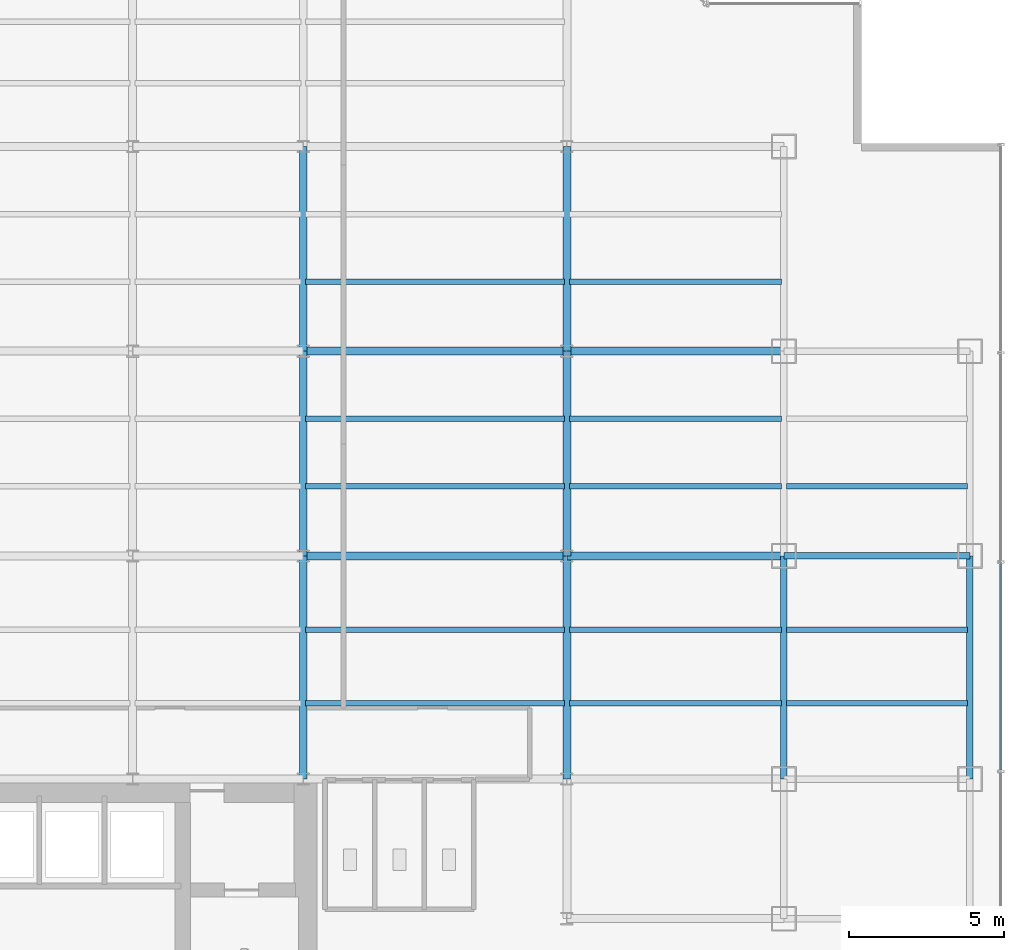
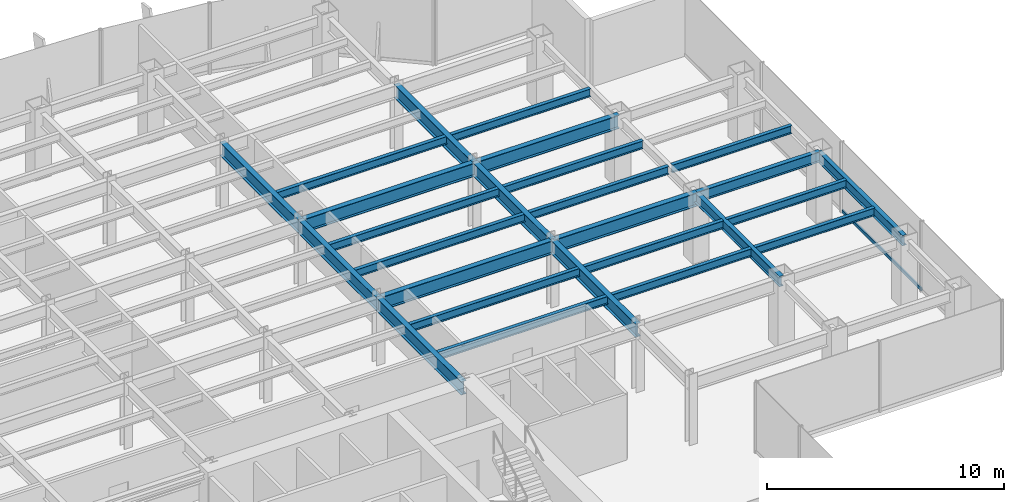
# One storey, part 11 of 26: 26 beams, 1 member, 1 element without a shape of its own.
"""IFC4 building model written with IfcOpenShell, lengths in metres."""

from ifc_helpers import new_model, si_unit, derived_unit, direction, frame, origin, origin_2d, place, context, subcontext, project, spatial, hollow_rectangle, i_section, extrude, source, transform, mapped, material, material_profile, profile_set, type_object, element, aggregate, save


model = new_model("IFC4")

# Units and contexts
model_context = context("Model", 3, precision=1e-05, world=origin(), true_north=direction((0.0, 1.0)))
body_context = subcontext(model_context, "Body", "Model", "MODEL_VIEW")
ifc_project = project(units=[si_unit("LENGTHUNIT", "METRE"), si_unit("AREAUNIT", "SQUARE_METRE"), si_unit("VOLUMEUNIT", "CUBIC_METRE"), si_unit("PLANEANGLEUNIT", "RADIAN"), si_unit("MASSUNIT", "GRAM", prefix="KILO"), derived_unit("THERMALTRANSMITTANCEUNIT", [(si_unit("POWERUNIT", "WATT"), 1), (si_unit("LENGTHUNIT", "METRE"), -2), (si_unit("THERMODYNAMICTEMPERATUREUNIT", "KELVIN"), -1)])], contexts=[model_context])

# Site, building, storey
site_placement = place(None, origin())
site = spatial("IfcSite", under=ifc_project, at=site_placement, CompositionType="ELEMENT")
building_placement = place(site_placement, origin())
building = spatial("IfcBuilding", under=site, at=building_placement, Name="Skarnbrae Concourse Arena and Tower", CompositionType="ELEMENT")
storey_placement = place(building_placement, frame((0.0, 0.0, 125.14990234375)))
storey = spatial("IfcBuildingStorey", under=building, at=storey_placement, Name="L31", CompositionType="ELEMENT", Elevation=125.14990234375)

# Beams
ifc_material_1 = material(Name="Steel CSA G40.21 350W", Category="steel")
ifc_material_profile_1 = material_profile(ifc_material_1, i_section(OverallWidth=0.256103515625, OverallDepth=0.693115234375, WebThickness=0.014404296875, FlangeThickness=0.023681640625, at=origin_2d()), Name="W690X170")
ifc_profile_set_1 = profile_set([ifc_material_profile_1], Name="Steel CSA G40.21 350W")
beam_type_1 = type_object("IfcBeamType", Name="BM-GIRD-W690X170", PredefinedType="BEAM", material=ifc_profile_set_1)
shared_shape_1 = source(origin(), body_context, "Body", "SweptSolid", [
    extrude(i_section(OverallWidth=0.256103515625, OverallDepth=0.693115234375, WebThickness=0.014404296875, FlangeThickness=0.023681640625, at=origin_2d()), origin(), (0.0, 0.0, 1.0), 7.0),
])
for number, where, z_axis, x_axis, name in (
    (1, (42.0, 21.199951171875, 3.0537109375), (1.0, 0.0, 0.0), (0.0, 1.0, 0.0), "L31 Primary E-W girder Y21.2-7"),
    (2, (42.0, 27.800048828125, 3.0537109375), (1.0, 0.0, 0.0), (0.0, 1.0, 0.0), "L31 Primary E-W girder Y27.8-7"),
):
    element("IfcBeam", number, at=place(storey_placement, frame(where, z_axis=z_axis, x_axis=x_axis)), inside=storey, type_object=beam_type_1, Name=name, PredefinedType="BEAM", context=body_context, shape_type="MappedRepresentation", body=[
        mapped(shared_shape_1, transform((0.0, 0.0, 0.0))),
    ])
ifc_material_profile_2 = material_profile(ifc_material_1, i_section(OverallWidth=0.208984375, OverallDepth=0.532958984375, WebThickness=0.01025390625, FlangeThickness=0.015625, at=origin_2d()), Name="W530X92")
ifc_profile_set_2 = profile_set([ifc_material_profile_2], Name="Steel CSA G40.21 350W")
beam_type_2 = type_object("IfcBeamType", Name="BM-SPAN-W530X92", PredefinedType="SPANDREL", material=ifc_profile_set_2)
shared_shape_2 = source(origin(), body_context, "Body", "SweptSolid", [
    extrude(i_section(OverallWidth=0.208984375, OverallDepth=0.532958984375, WebThickness=0.01025390625, FlangeThickness=0.015625, at=origin_2d()), origin(), (0.0, 0.0, 1.0), 6.0),
])
beam_placement = place(storey_placement, frame((49.0, 21.199951171875, 3.133544921875), z_axis=(1.0, 0.0, 0.0), x_axis=(0.0, 1.0, 0.0)))
element("IfcBeam", 3, at=beam_placement, inside=storey, type_object=beam_type_2, Name="L31 Perimeter spandrel Y21.2-8", PredefinedType="SPANDREL", context=body_context, shape_type="MappedRepresentation", body=[
    mapped(shared_shape_2, transform((0.0, 0.0, 0.0))),
])
shared_shape_3 = source(origin(), body_context, "Body", "SweptSolid", [
    extrude(i_section(OverallWidth=0.256103515625, OverallDepth=0.693115234375, WebThickness=0.014404296875, FlangeThickness=0.023681640625, at=origin_2d()), origin(), (0.0, 0.0, 1.0), 6.60009765625),
])
for number, where, z_axis, x_axis, name in (
    (4, (33.5, 21.199951171875, 3.0537109375), (0.0, 1.0, 0.0), (-1.0, 0.0, 0.0), "L31 Primary N-S girder X33.5-2"),
    (5, (42.0, 21.199951171875, 3.0537109375), (0.0, 1.0, 0.0), (-1.0, 0.0, 0.0), "L31 Primary N-S girder X42.0-3"),
):
    element("IfcBeam", number, at=place(storey_placement, frame(where, z_axis=z_axis, x_axis=x_axis)), inside=storey, type_object=beam_type_1, Name=name, PredefinedType="BEAM", context=body_context, shape_type="MappedRepresentation", body=[
        mapped(shared_shape_3, transform((0.0, 0.0, 0.0))),
    ])
shared_shape_4 = source(origin(), body_context, "Body", "SweptSolid", [
    extrude(i_section(OverallWidth=0.256103515625, OverallDepth=0.693115234375, WebThickness=0.014404296875, FlangeThickness=0.023681640625, at=origin_2d()), origin(), (0.0, 0.0, 1.0), 8.5),
])
for number, where, z_axis, x_axis, name in (
    (6, (33.5, 21.199951171875, 3.0537109375), (1.0, 0.0, 0.0), (0.0, 1.0, 0.0), "L31 Primary E-W girder Y21.2-6"),
    (7, (33.5, 27.800048828125, 3.0537109375), (1.0, 0.0, 0.0), (0.0, 1.0, 0.0), "L31 Primary E-W girder Y27.8-6"),
):
    element("IfcBeam", number, at=place(storey_placement, frame(where, z_axis=z_axis, x_axis=x_axis)), inside=storey, type_object=beam_type_1, Name=name, PredefinedType="BEAM", context=body_context, shape_type="MappedRepresentation", body=[
        mapped(shared_shape_4, transform((0.0, 0.0, 0.0))),
    ])
shared_shape_5 = source(origin(), body_context, "Body", "SweptSolid", [
    extrude(i_section(OverallWidth=0.208984375, OverallDepth=0.532958984375, WebThickness=0.01025390625, FlangeThickness=0.015625, at=origin_2d()), origin(), (0.0, 0.0, 1.0), 7.199951171875),
])
for number, where, z_axis, x_axis, name in (
    (8, (49.0, 14.0, 3.133544921875), (0.0, 1.0, 0.0), (-1.0, 0.0, 0.0), "L31 Perimeter spandrel X49.0-2"),
    (9, (55.0, 14.0, 3.133544921875), (0.0, 1.0, 0.0), (-1.0, 0.0, 0.0), "L31 Perimeter spandrel X55.0-2"),
):
    element("IfcBeam", number, at=place(storey_placement, frame(where, z_axis=z_axis, x_axis=x_axis)), inside=storey, type_object=beam_type_2, Name=name, PredefinedType="SPANDREL", context=body_context, shape_type="MappedRepresentation", body=[
        mapped(shared_shape_5, transform((0.0, 0.0, 0.0))),
    ])
shared_shape_6 = source(origin(), body_context, "Body", "SweptSolid", [
    extrude(i_section(OverallWidth=0.256103515625, OverallDepth=0.693115234375, WebThickness=0.014404296875, FlangeThickness=0.023681640625, at=origin_2d()), origin(), (0.0, 0.0, 1.0), 7.199951171875),
])
for number, where, z_axis, x_axis, name in (
    (10, (33.5, 14.0, 3.0537109375), (0.0, 1.0, 0.0), (-1.0, 0.0, 0.0), "L31 Primary N-S girder X33.5-1"),
    (11, (42.0, 14.0, 3.0537109375), (0.0, 1.0, 0.0), (-1.0, 0.0, 0.0), "L31 Primary N-S girder X42.0-2"),
):
    element("IfcBeam", number, at=place(storey_placement, frame(where, z_axis=z_axis, x_axis=x_axis)), inside=storey, type_object=beam_type_1, Name=name, PredefinedType="BEAM", context=body_context, shape_type="MappedRepresentation", body=[
        mapped(shared_shape_6, transform((0.0, 0.0, 0.0))),
    ])
shared_shape_7 = source(origin(), body_context, "Body", "SweptSolid", [
    extrude(i_section(OverallWidth=0.256103515625, OverallDepth=0.693115234375, WebThickness=0.014404296875, FlangeThickness=0.023681640625, at=origin_2d()), origin(), (0.0, 0.0, 1.0), 6.599853515625),
])
for number, where, z_axis, x_axis, name in (
    (12, (33.5, 27.800048828125, 3.0537109375), (0.0, 1.0, 0.0), (-1.0, 0.0, 0.0), "L31 Primary N-S girder X33.5-3"),
    (13, (42.0, 27.800048828125, 3.0537109375), (0.0, 1.0, 0.0), (-1.0, 0.0, 0.0), "L31 Primary N-S girder X42.0-4"),
):
    element("IfcBeam", number, at=place(storey_placement, frame(where, z_axis=z_axis, x_axis=x_axis)), inside=storey, type_object=beam_type_1, Name=name, PredefinedType="BEAM", context=body_context, shape_type="MappedRepresentation", body=[
        mapped(shared_shape_7, transform((0.0, 0.0, 0.0))),
    ])
ifc_material_profile_3 = material_profile(ifc_material_1, i_section(OverallWidth=0.177978515625, OverallDepth=0.406982421875, WebThickness=0.0078125, FlangeThickness=0.0126953125, at=origin_2d()), Name="W410X60")
ifc_profile_set_3 = profile_set([ifc_material_profile_3], Name="Steel CSA G40.21 350W")
beam_type_3 = type_object("IfcBeamType", Name="BM-JOIST-W410X60", PredefinedType="JOIST", material=ifc_profile_set_3)
shared_shape_8 = source(origin(), body_context, "Body", "SweptSolid", [
    extrude(i_section(OverallWidth=0.177978515625, OverallDepth=0.406982421875, WebThickness=0.0078125, FlangeThickness=0.0126953125, at=origin_2d()), origin(), (0.0, 0.0, 1.0), 8.33984375),
])
for number, where, z_axis, x_axis, name in (
    (14, (33.580078125, 16.447998046875, 3.196533203125), (1.0, 0.0, 0.0), (0.0, 1.0, 0.0), "L31 Secondary floor joist 1.1.6"),
    (15, (33.580078125, 18.823974609375, 3.196533203125), (1.0, 0.0, 0.0), (0.0, 1.0, 0.0), "L31 Secondary floor joist 1.2.6"),
    (16, (33.580078125, 23.444091796875, 3.196533203125), (1.0, 0.0, 0.0), (0.0, 1.0, 0.0), "L31 Secondary floor joist 2.1.6"),
    (17, (33.580078125, 25.6220703125, 3.196533203125), (1.0, 0.0, 0.0), (0.0, 1.0, 0.0), "L31 Secondary floor joist 2.2.6"),
    (18, (33.580078125, 30.0439453125, 3.196533203125), (1.0, 0.0, 0.0), (0.0, 1.0, 0.0), "L31 Secondary floor joist 3.1.5"),
):
    element("IfcBeam", number, at=place(storey_placement, frame(where, z_axis=z_axis, x_axis=x_axis)), inside=storey, type_object=beam_type_3, Name=name, PredefinedType="JOIST", context=body_context, shape_type="MappedRepresentation", body=[
        mapped(shared_shape_8, transform((0.0, 0.0, 0.0))),
    ])
shared_shape_9 = source(origin(), body_context, "Body", "SweptSolid", [
    extrude(i_section(OverallWidth=0.177978515625, OverallDepth=0.406982421875, WebThickness=0.0078125, FlangeThickness=0.0126953125, at=origin_2d()), origin(), (0.0, 0.0, 1.0), 6.83984375),
])
for number, where, z_axis, x_axis, name in (
    (19, (42.080078125, 16.447998046875, 3.196533203125), (1.0, 0.0, 0.0), (0.0, 1.0, 0.0), "L31 Secondary floor joist 1.1.7"),
    (20, (42.080078125, 18.823974609375, 3.196533203125), (1.0, 0.0, 0.0), (0.0, 1.0, 0.0), "L31 Secondary floor joist 1.2.7"),
    (21, (42.080078125, 23.444091796875, 3.196533203125), (1.0, 0.0, 0.0), (0.0, 1.0, 0.0), "L31 Secondary floor joist 2.1.7"),
    (22, (42.080078125, 25.6220703125, 3.196533203125), (1.0, 0.0, 0.0), (0.0, 1.0, 0.0), "L31 Secondary floor joist 2.2.7"),
    (23, (42.080078125, 30.0439453125, 3.196533203125), (1.0, 0.0, 0.0), (0.0, 1.0, 0.0), "L31 Secondary floor joist 3.1.6"),
):
    element("IfcBeam", number, at=place(storey_placement, frame(where, z_axis=z_axis, x_axis=x_axis)), inside=storey, type_object=beam_type_3, Name=name, PredefinedType="JOIST", context=body_context, shape_type="MappedRepresentation", body=[
        mapped(shared_shape_9, transform((0.0, 0.0, 0.0))),
    ])
shared_shape_10 = source(origin(), body_context, "Body", "SweptSolid", [
    extrude(i_section(OverallWidth=0.177978515625, OverallDepth=0.406982421875, WebThickness=0.0078125, FlangeThickness=0.0126953125, at=origin_2d()), origin(), (0.0, 0.0, 1.0), 5.83984375),
])
for number, where, z_axis, x_axis, name in (
    (24, (49.080078125, 16.447998046875, 3.196533203125), (1.0, 0.0, 0.0), (0.0, 1.0, 0.0), "L31 Secondary floor joist 1.1.8"),
    (25, (49.080078125, 18.823974609375, 3.196533203125), (1.0, 0.0, 0.0), (0.0, 1.0, 0.0), "L31 Secondary floor joist 1.2.8"),
    (26, (49.080078125, 23.444091796875, 3.196533203125), (1.0, 0.0, 0.0), (0.0, 1.0, 0.0), "L31 Secondary floor joist 2.1.8"),
):
    element("IfcBeam", number, at=place(storey_placement, frame(where, z_axis=z_axis, x_axis=x_axis)), inside=storey, type_object=beam_type_3, Name=name, PredefinedType="JOIST", context=body_context, shape_type="MappedRepresentation", body=[
        mapped(shared_shape_10, transform((0.0, 0.0, 0.0))),
    ])

# Curtain wall, member
ifc_material_2 = material(Name="Bronze anodised aluminium 6063-T6", Category="aluminium")
curtain_wall_type = type_object("IfcCurtainWallType", Name="CW-SYS-04-MIDZONE", PredefinedType="USERDEFINED", material=ifc_material_2)
curtain_wall_placement = place(storey_placement, origin())
curtain_wall = element("IfcCurtainWall", 27, at=curtain_wall_placement, inside=storey, type_object=curtain_wall_type, Name="L31 Unitised curtain wall CW-L31-E04", ObjectType="UNITISED CURTAIN WALL", PredefinedType="USERDEFINED")
ifc_material_profile_4 = material_profile(ifc_material_2, hollow_rectangle(XDim=0.074951171875, YDim=0.159912109375, WallThickness=0.00439453125, at=origin_2d()), Name="ALU-TRAN-75X160")
ifc_profile_set_4 = profile_set([ifc_material_profile_4], Name="Bronze anodised aluminium 6063-T6")
member_type = type_object("IfcMemberType", Name="CWT-CW-04", PredefinedType="USERDEFINED", material=ifc_profile_set_4)
shared_shape_11 = source(origin(), body_context, "Body", "SweptSolid", [
    extrude(hollow_rectangle(XDim=0.074951171875, YDim=0.159912109375, WallThickness=0.00439453125, at=origin_2d()), origin(), (0.0, 0.0, 1.0), 6.6748046875),
])
member_placement = place(storey_placement, frame((56.0, 14.28759765625, 0.080078125), z_axis=(0.0, 1.0, 0.0), x_axis=(-1.0, 0.0, 0.0)))
member = element("IfcMember", 28, at=member_placement, type_object=member_type, Name="CW-L31-E04 Transom 2", ObjectType="TRANSOM", PredefinedType="USERDEFINED", context=body_context, shape_type="MappedRepresentation", body=[
    mapped(shared_shape_11, transform((0.0, 0.0, 0.0))),
])
aggregate(curtain_wall, [member])

save(model, "model.ifc")
